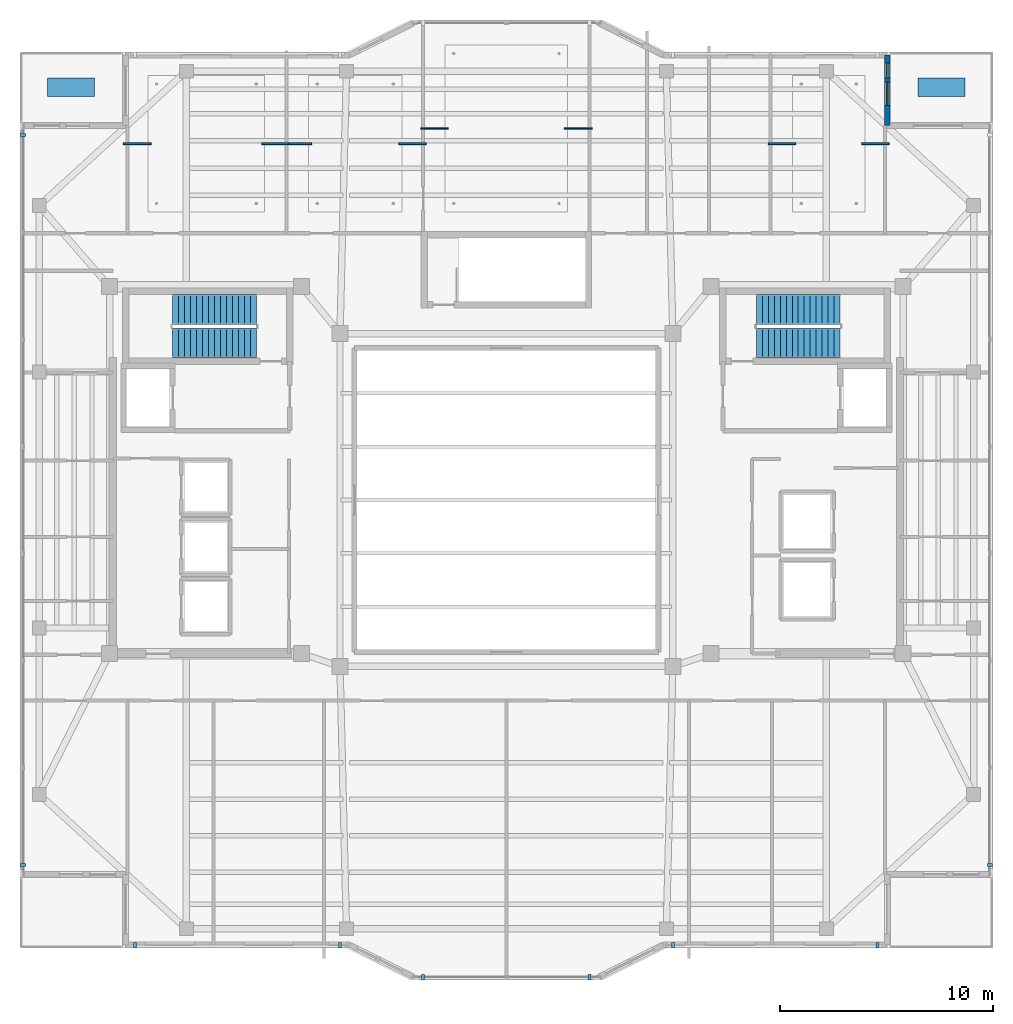
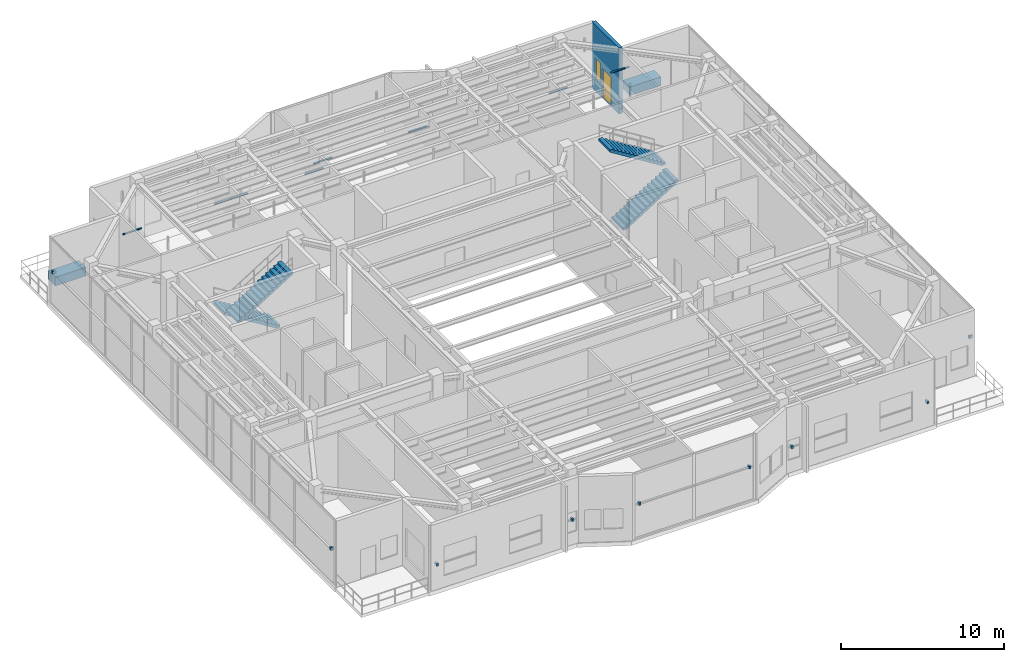
# One storey, part 18 of 23: 19 discrete accessories, 4 stair flights, 1 door, 1 wall, 1 window, 2 openings, 2 elements without a shape of their own.
"""IFC4 building model written with IfcOpenShell, lengths in metres."""

from ifc_helpers import new_model, si_unit, direction, frame, frame_2d, origin, origin_2d, place, context, subcontext, project, spatial, polyline, rectangle, outline, extrude, material, layer, layer_set, type_object, element, fill, aggregate, save


model = new_model("IFC4")

# Units and contexts
model_context = context("Model", 3, precision=1e-05, world=origin(), true_north=direction((0.0, 1.0)))
body_context = subcontext(model_context, "Body", "Model", "MODEL_VIEW")
ifc_project = project(units=[si_unit("LENGTHUNIT", "METRE"), si_unit("AREAUNIT", "SQUARE_METRE"), si_unit("VOLUMEUNIT", "CUBIC_METRE"), si_unit("PLANEANGLEUNIT", "RADIAN"), si_unit("MASSUNIT", "GRAM", prefix="KILO")], contexts=[model_context])

# Site, building, storey
site_placement = place(None, origin())
site = spatial("IfcSite", under=ifc_project, at=site_placement, CompositionType="ELEMENT")
building_placement = place(site_placement, origin())
building = spatial("IfcBuilding", under=site, at=building_placement, Name="Tarnavaz Court Tower", CompositionType="ELEMENT")
storey_placement = place(building_placement, frame((0.0, 0.0, 276.300048828125)))
storey = spatial("IfcBuildingStorey", under=building, at=storey_placement, Name="L75", CompositionType="ELEMENT", Elevation=276.300048828125)

# Wall, openings, door, window
ifc_material_1 = material(Name="Precast Concrete C40/50", Category="concrete")
ifc_layer = layer(ifc_material_1, 0.260009765625)
ifc_layer_set = layer_set([ifc_layer], Name="Precast Concrete C40/50")
wall_type = type_object("IfcWallType", Name="WL-EXT-260", PredefinedType="SOLIDWALL", material=ifc_layer_set)
wall_placement = place(storey_placement, frame((17.85009765625, 20.85009765625, 0.0), z_axis=(0.0, 0.0, 1.0), x_axis=(0.0, -1.0, 0.0)))
wall = element("IfcWall", 1, at=wall_placement, inside=storey, type_object=wall_type, Name="L75 Exterior Terracotta Facade Wall 10", PredefinedType="SOLIDWALL", context=body_context, shape_type="SweptSolid", body=[
    extrude(rectangle(XDim=3.300048828125, YDim=0.260009765625, at=frame_2d((1.64990234375, 0.0))), origin(), (0.0, 0.0, 1.0), 4.949951171875),
])
opening_1_placement = place(wall_placement, frame((1.25, 0.0, 0.0)))
opening_1 = element("IfcOpeningElement", 2, at=opening_1_placement, cuts=wall, Name="Opening TD1", PredefinedType="OPENING", context=body_context, shape_type="SweptSolid", body=[
    extrude(rectangle(XDim=1.10009765625, YDim=2.199951171875, at=frame_2d((0.550048828125, 1.10009765625))), frame((0.0, 0.139892578125, 0.0), z_axis=(0.0, -1.0, 0.0), x_axis=(1.0, 0.0, 0.0)), (0.0, 0.0, 1.0), 0.280029296875),
])
opening_2_placement = place(wall_placement, frame((0.364990234375, 0.0, 0.949951171875)))
opening_2 = element("IfcOpeningElement", 3, at=opening_2_placement, cuts=wall, Name="Opening W16", PredefinedType="OPENING", context=body_context, shape_type="SweptSolid", body=[
    extrude(rectangle(XDim=0.699951171875, YDim=1.5, at=frame_2d((0.35009765625, 0.75))), frame((0.0, 0.139892578125, 0.0), z_axis=(0.0, -1.0, 0.0), x_axis=(1.0, 0.0, 0.0)), (0.0, 0.0, 1.0), 0.280029296875),
])
ifc_material_2 = material(Name="Thermally Broken Aluminium and Laminated Glass", Category="aluminium")
door_type = type_object("IfcDoorType", Name="DR-TERR-1100", OperationType="NOTDEFINED", PredefinedType="DOOR", material=ifc_material_2)
door_placement = place(opening_1_placement, origin())
door = element("IfcDoor", 4, at=door_placement, inside=storey, type_object=door_type, Name="L75 Sky Terrace Access Door 1", OperationType="SINGLE_SWING_LEFT", OverallHeight=2.199951171875, OverallWidth=1.10009765625, PredefinedType="DOOR", context=body_context, shape_type="SweptSolid", body=[
    extrude(rectangle(XDim=1.10009765625, YDim=2.199951171875, at=frame_2d((0.550048828125, 1.10009765625))), frame((0.0, 0.02490234375, 0.0), z_axis=(0.0, -1.0, 0.0), x_axis=(1.0, 0.0, 0.0)), (0.0, 0.0, 1.0), 0.050048828125),
])
fill(opening_1, door)
ifc_material_3 = material(Name="Double-Glazed Solar Low-E Glass", Category="glass")
window_type = type_object("IfcWindowType", Name="WN-APT-700", PartitioningType="SINGLE_PANEL", PredefinedType="WINDOW", material=ifc_material_3)
window_placement = place(opening_2_placement, origin())
window = element("IfcWindow", 5, at=window_placement, inside=storey, type_object=window_type, Name="L75 Prow Cheek Bedroom Window 10", OverallHeight=1.5, OverallWidth=0.699951171875, PartitioningType="SINGLE_PANEL", PredefinedType="WINDOW", context=body_context, shape_type="SweptSolid", body=[
    extrude(rectangle(XDim=0.699951171875, YDim=1.5, at=frame_2d((0.35009765625, 0.75))), frame((0.0, 0.030029296875, 0.0), z_axis=(0.0, -1.0, 0.0), x_axis=(1.0, 0.0, 0.0)), (0.0, 0.0, 1.0), 0.06005859375),
])
fill(opening_2, window)

# Stair, stair flights
ifc_material_4 = material(Name="Concrete C40/50", Category="concrete")
stair_type = type_object("IfcStairType", Name="ST-TWR-30R", PredefinedType="HALF_TURN_STAIR", material=ifc_material_4)
stair_1_placement = place(storey_placement, origin())
stair_1 = element("IfcStair", 6, at=stair_1_placement, inside=storey, type_object=stair_type, Name="L75 West Core Pressurized Exit Stair ST-W1", PredefinedType="HALF_TURN_STAIR")
stair_flight_type = type_object("IfcStairFlightType", Name="SFL-RC-30R", PredefinedType="STRAIGHT", material=ifc_material_4)
stair_flight_1_placement = place(storey_placement, frame((-11.719970703125, 8.929931640625, 0.0), z_axis=(0.0, 0.0, 1.0), x_axis=(-1.0, 0.0, 0.0)))
stair_flight_1 = element("IfcStairFlight", 7, at=stair_flight_1_placement, type_object=stair_flight_type, Name="ST-W1 flight 1", NumberOfRisers=15, NumberOfTreads=14, PredefinedType="STRAIGHT", RiserHeight=0.175, TreadLength=0.28, context=body_context, shape_type="SweptSolid", body=[
    extrude(outline(polyline([(0.0, 0.0), (0.0, 0.175048828125), (0.280029296875, 0.175048828125), (0.280029296875, 0.35009765625), (0.56005859375, 0.35009765625), (0.56005859375, 0.52490234375), (0.840087890625, 0.52490234375), (0.840087890625, 0.699951171875), (1.1201171875, 0.699951171875), (1.1201171875, 0.875), (1.39990234375, 0.875), (1.39990234375, 1.050048828125), (1.679931640625, 1.050048828125), (1.679931640625, 1.22509765625), (1.9599609375, 1.22509765625), (1.9599609375, 1.39990234375), (2.239990234375, 1.39990234375), (2.239990234375, 1.574951171875), (2.52001953125, 1.574951171875), (2.52001953125, 1.75), (2.800048828125, 1.75), (2.800048828125, 1.925048828125), (3.080078125, 1.925048828125), (3.080078125, 2.10009765625), (3.360107421875, 2.10009765625), (3.360107421875, 2.27490234375), (3.639892578125, 2.27490234375), (3.639892578125, 2.449951171875), (3.919921875, 2.449951171875), (3.919921875, 2.625), (3.919921875, 2.273193359375), (0.28271484375, 0.0), (0.0, 0.0)])), frame((0.0, 0.7099609375, 0.0), z_axis=(0.0, -1.0, 0.0), x_axis=(1.0, 0.0, 0.0)), (0.0, 0.0, 1.0), 1.419921875),
])
stair_flight_2_placement = place(storey_placement, frame((-15.639892578125, 7.360107421875, 2.625), z_axis=(0.0, 0.0, 1.0), x_axis=(1.0, 0.0, 0.0)))
stair_flight_2 = element("IfcStairFlight", 8, at=stair_flight_2_placement, type_object=stair_flight_type, Name="ST-W1 flight 2", NumberOfRisers=15, NumberOfTreads=14, PredefinedType="STRAIGHT", RiserHeight=0.175, TreadLength=0.28, context=body_context, shape_type="SweptSolid", body=[
    extrude(outline(polyline([(0.0, 0.0), (0.0, 0.175048828125), (0.280029296875, 0.175048828125), (0.280029296875, 0.35009765625), (0.56005859375, 0.35009765625), (0.56005859375, 0.52490234375), (0.840087890625, 0.52490234375), (0.840087890625, 0.699951171875), (1.1201171875, 0.699951171875), (1.1201171875, 0.875), (1.39990234375, 0.875), (1.39990234375, 1.050048828125), (1.679931640625, 1.050048828125), (1.679931640625, 1.22509765625), (1.9599609375, 1.22509765625), (1.9599609375, 1.39990234375), (2.239990234375, 1.39990234375), (2.239990234375, 1.574951171875), (2.52001953125, 1.574951171875), (2.52001953125, 1.75), (2.800048828125, 1.75), (2.800048828125, 1.925048828125), (3.080078125, 1.925048828125), (3.080078125, 2.10009765625), (3.360107421875, 2.10009765625), (3.360107421875, 2.27490234375), (3.639892578125, 2.27490234375), (3.639892578125, 2.449951171875), (3.919921875, 2.449951171875), (3.919921875, 2.625), (3.919921875, 2.273193359375), (0.28271484375, 0.0), (0.0, 0.0)])), frame((0.0, 0.7099609375, 0.0), z_axis=(0.0, -1.0, 0.0), x_axis=(1.0, 0.0, 0.0)), (0.0, 0.0, 1.0), 1.419921875),
])
aggregate(stair_1, [stair_flight_1, stair_flight_2])

stair_2_placement = place(storey_placement, origin())
stair_2 = element("IfcStair", 9, at=stair_2_placement, inside=storey, type_object=stair_type, Name="L75 East Core Pressurized Exit Stair ST-E1", PredefinedType="HALF_TURN_STAIR")
stair_flight_3_placement = place(storey_placement, frame((11.719970703125, 7.360107421875, 0.0), z_axis=(0.0, 0.0, 1.0), x_axis=(1.0, 0.0, 0.0)))
stair_flight_3 = element("IfcStairFlight", 10, at=stair_flight_3_placement, type_object=stair_flight_type, Name="ST-E1 flight 1", NumberOfRisers=15, NumberOfTreads=14, PredefinedType="STRAIGHT", RiserHeight=0.175, TreadLength=0.28, context=body_context, shape_type="SweptSolid", body=[
    extrude(outline(polyline([(0.0, 0.0), (0.0, 0.175048828125), (0.280029296875, 0.175048828125), (0.280029296875, 0.35009765625), (0.56005859375, 0.35009765625), (0.56005859375, 0.52490234375), (0.840087890625, 0.52490234375), (0.840087890625, 0.699951171875), (1.1201171875, 0.699951171875), (1.1201171875, 0.875), (1.39990234375, 0.875), (1.39990234375, 1.050048828125), (1.679931640625, 1.050048828125), (1.679931640625, 1.22509765625), (1.9599609375, 1.22509765625), (1.9599609375, 1.39990234375), (2.239990234375, 1.39990234375), (2.239990234375, 1.574951171875), (2.52001953125, 1.574951171875), (2.52001953125, 1.75), (2.800048828125, 1.75), (2.800048828125, 1.925048828125), (3.080078125, 1.925048828125), (3.080078125, 2.10009765625), (3.360107421875, 2.10009765625), (3.360107421875, 2.27490234375), (3.639892578125, 2.27490234375), (3.639892578125, 2.449951171875), (3.919921875, 2.449951171875), (3.919921875, 2.625), (3.919921875, 2.273193359375), (0.28271484375, 0.0), (0.0, 0.0)])), frame((0.0, 0.7099609375, 0.0), z_axis=(0.0, -1.0, 0.0), x_axis=(1.0, 0.0, 0.0)), (0.0, 0.0, 1.0), 1.419921875),
])
stair_flight_4_placement = place(storey_placement, frame((15.639892578125, 8.929931640625, 2.625), z_axis=(0.0, 0.0, 1.0), x_axis=(-1.0, 0.0, 0.0)))
stair_flight_4 = element("IfcStairFlight", 11, at=stair_flight_4_placement, type_object=stair_flight_type, Name="ST-E1 flight 2", NumberOfRisers=15, NumberOfTreads=14, PredefinedType="STRAIGHT", RiserHeight=0.175, TreadLength=0.28, context=body_context, shape_type="SweptSolid", body=[
    extrude(outline(polyline([(0.0, 0.0), (0.0, 0.175048828125), (0.280029296875, 0.175048828125), (0.280029296875, 0.35009765625), (0.56005859375, 0.35009765625), (0.56005859375, 0.52490234375), (0.840087890625, 0.52490234375), (0.840087890625, 0.699951171875), (1.1201171875, 0.699951171875), (1.1201171875, 0.875), (1.39990234375, 0.875), (1.39990234375, 1.050048828125), (1.679931640625, 1.050048828125), (1.679931640625, 1.22509765625), (1.9599609375, 1.22509765625), (1.9599609375, 1.39990234375), (2.239990234375, 1.39990234375), (2.239990234375, 1.574951171875), (2.52001953125, 1.574951171875), (2.52001953125, 1.75), (2.800048828125, 1.75), (2.800048828125, 1.925048828125), (3.080078125, 1.925048828125), (3.080078125, 2.10009765625), (3.360107421875, 2.10009765625), (3.360107421875, 2.27490234375), (3.639892578125, 2.27490234375), (3.639892578125, 2.449951171875), (3.919921875, 2.449951171875), (3.919921875, 2.625), (3.919921875, 2.273193359375), (0.28271484375, 0.0), (0.0, 0.0)])), frame((0.0, 0.7099609375, 0.0), z_axis=(0.0, -1.0, 0.0), x_axis=(1.0, 0.0, 0.0)), (0.0, 0.0, 1.0), 1.419921875),
])
aggregate(stair_2, [stair_flight_3, stair_flight_4])

# Discrete accessories
ifc_material_5 = material(Name="Anodised Aluminium 6063-T6", Category="aluminium")
discrete_accessory_type_1 = type_object("IfcDiscreteAccessoryType", Name="DA-BRKT-ALU", PredefinedType="BRACKET", material=ifc_material_5)
for number, where, z_axis, x_axis, name in (
    (12, (-22.669921875, -17.10009765625, 2.5), (0.0, 0.0, 1.0), (0.0, 1.0, 0.0), "L75 Baguette Outrigger Bracket OBG2-1"),
    (13, (-22.669921875, 17.10009765625, 2.5), (0.0, 0.0, 1.0), (0.0, 1.0, 0.0), "L75 Baguette Outrigger Bracket OBG2-2"),
    (14, (22.669921875, -17.10009765625, 2.5), (0.0, 0.0, 1.0), (0.0, -1.0, 0.0), "L75 Baguette Outrigger Bracket OBG12-2"),
    (15, (17.39990234375, -20.8701171875, 1.75), (0.0, 0.0, 1.0), (-1.0, 0.0, 0.0), "L75 Baguette Outrigger Bracket FBG15-1"),
    (16, (7.800048828125, -20.8701171875, 1.75), (0.0, 0.0, 1.0), (-1.0, 0.0, 0.0), "L75 Baguette Outrigger Bracket FBG15-2"),
    (17, (3.89990234375, -22.3701171875, 2.5), (0.0, 0.0, 1.0), (-1.0, 0.0, 0.0), "L75 Baguette Outrigger Bracket OBG17-1"),
    (18, (-3.89990234375, -22.3701171875, 2.5), (0.0, 0.0, 1.0), (-1.0, 0.0, 0.0), "L75 Baguette Outrigger Bracket OBG17-2"),
    (19, (-7.800048828125, -20.8701171875, 1.75), (0.0, 0.0, 1.0), (-1.0, 0.0, 0.0), "L75 Baguette Outrigger Bracket FBG19-1"),
    (20, (-17.39990234375, -20.8701171875, 1.75), (0.0, 0.0, 1.0), (-1.0, 0.0, 0.0), "L75 Baguette Outrigger Bracket FBG19-2"),
):
    element("IfcDiscreteAccessory", number, at=place(storey_placement, frame(where, z_axis=z_axis, x_axis=x_axis)), inside=storey, type_object=discrete_accessory_type_1, Name=name, PredefinedType="BRACKET", context=body_context, shape_type="SweptSolid", body=[
        extrude(rectangle(XDim=0.139892578125, YDim=0.239990234375, at=origin_2d()), origin(), (0.0, 0.0, 1.0), 0.199951171875),
    ])
for number, where, z_axis, x_axis, name in (
    (21, (-17.300048828125, 16.699951171875, 3.952392578125), (0.0, 0.0, 1.0), (1.0, 0.0, 0.0), "L75 Ceiling Perimeter Wall-Tie Bracket 01-1"),
    (22, (-10.827880859375, 16.699951171875, 3.952392578125), (0.0, 0.0, 1.0), (1.0, 0.0, 0.0), "L75 Ceiling Perimeter Wall-Tie Bracket 01-2"),
    (23, (-9.76806640625, 16.699951171875, 3.952392578125), (0.0, 0.0, 1.0), (1.0, 0.0, 0.0), "L75 Ceiling Perimeter Wall-Tie Bracket 02-1"),
    (24, (-4.39990234375, 16.699951171875, 3.952392578125), (0.0, 0.0, 1.0), (1.0, 0.0, 0.0), "L75 Ceiling Perimeter Wall-Tie Bracket 02-2"),
    (25, (-3.3701171875, 17.4150390625, 3.952392578125), (0.0, 0.0, 1.0), (1.0, 0.0, 0.0), "L75 Ceiling Perimeter Wall-Tie Bracket 03-1"),
    (26, (3.3701171875, 17.4150390625, 3.952392578125), (0.0, 0.0, 1.0), (1.0, 0.0, 0.0), "L75 Ceiling Perimeter Wall-Tie Bracket 03-2"),
    (27, (12.9169921875, 16.699951171875, 3.952392578125), (0.0, 0.0, 1.0), (1.0, 0.0, 0.0), "L75 Ceiling Perimeter Wall-Tie Bracket 04-1"),
    (28, (17.300048828125, 16.699951171875, 3.952392578125), (0.0, 0.0, 1.0), (1.0, 0.0, 0.0), "L75 Ceiling Perimeter Wall-Tie Bracket 04-2"),
):
    element("IfcDiscreteAccessory", number, at=place(storey_placement, frame(where, z_axis=z_axis, x_axis=x_axis)), inside=storey, type_object=discrete_accessory_type_1, Name=name, PredefinedType="BRACKET", context=body_context, shape_type="SweptSolid", body=[
        extrude(rectangle(XDim=1.300048828125, YDim=0.080078125, at=origin_2d()), origin(), (0.0, 0.0, 1.0), 0.080078125),
    ])
ifc_material_6 = material(Name="Terracotta Architectural Planter Trough", Category="masonry")
discrete_accessory_type_2 = type_object("IfcDiscreteAccessoryType", Name="DA-PLANTER-TC", PredefinedType="USERDEFINED", material=ifc_material_6)
for number, where, z_axis, x_axis, name in (
    (29, (20.39990234375, 19.35009765625, 0.0), (0.0, 0.0, 1.0), (1.0, 0.0, 0.0), "L75 Chahar-Bagh Terracotta Landscape Planter 1"),
    (30, (-20.39990234375, 19.35009765625, 0.0), (0.0, 0.0, 1.0), (1.0, 0.0, 0.0), "L75 Chahar-Bagh Terracotta Landscape Planter 2"),
):
    element("IfcDiscreteAccessory", number, at=place(storey_placement, frame(where, z_axis=z_axis, x_axis=x_axis)), inside=storey, type_object=discrete_accessory_type_2, Name=name, ObjectType="PLANTER", PredefinedType="USERDEFINED", context=body_context, shape_type="SweptSolid", body=[
        extrude(rectangle(XDim=2.199951171875, YDim=0.85009765625, at=origin_2d()), origin(), (0.0, 0.0, 1.0), 0.64990234375),
    ])

save(model, "model.ifc")
